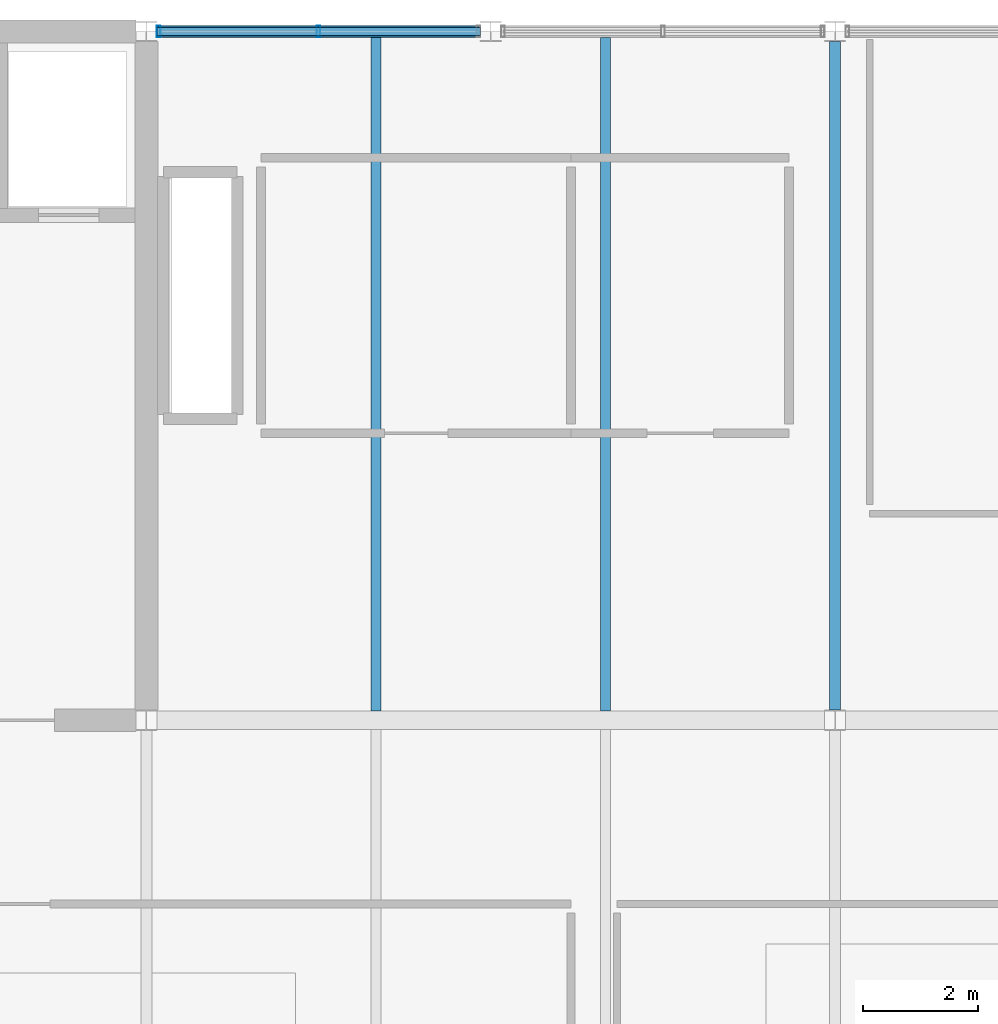
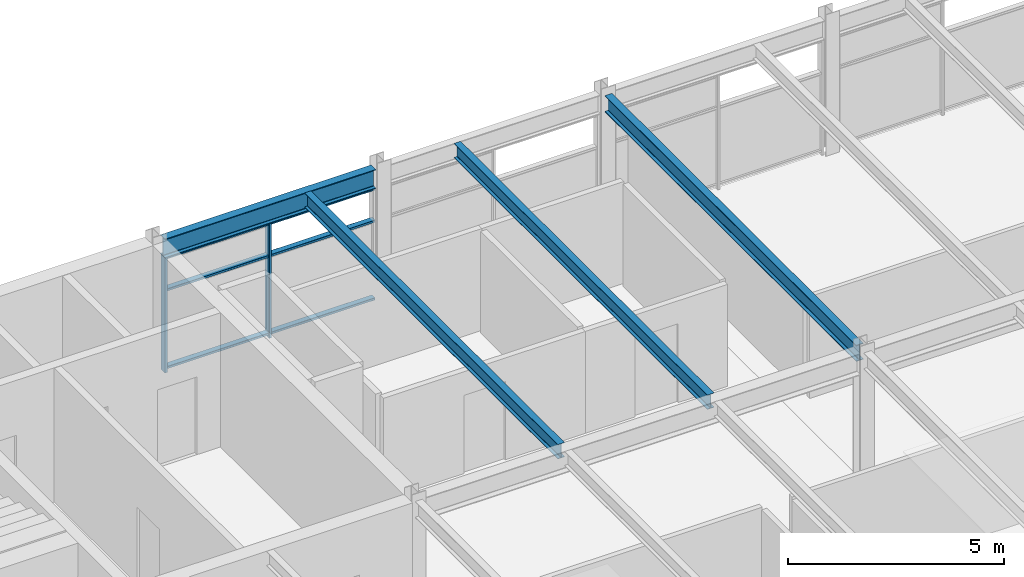
# One storey, part 9 of 23: 5 members, 4 beams, 1 element without a shape of its own.
"""IFC4 building model written with IfcOpenShell, lengths in metres."""

import ifcopenshell
import ifcopenshell.guid

model = None  # the IFC model being written
_history = None  # IfcOwnerHistory: only IFC2X3 demands one
_inside = {}  # id of a spatial element -> (the spatial element, [elements in it])
_under = {}  # id of a project, library or spatial element -> (it, [spatial elements below it])
_declared = {}  # id of a project -> (the project, [libraries it declares])
_typed = {}  # id of a type object -> (the type object, [elements of that type])
_made_of = {}  # id of a material, layer set ... -> (it, [elements and type objects made of it])


def new_model(schema):
    """Start an empty IFC model of exactly this schema.

    Asked for "IFC4X3", IfcOpenShell would pick the latest addendum, in which some entities
    have other attributes; the version numbers below select the first issue.
    IFC2X3 requires an IfcOwnerHistory on every rooted entity: one is made here for all.
    """
    global model, _history
    if schema == "IFC4X3":
        model = ifcopenshell.file(schema_version=(4, 3, 0, 0))
    else:
        model = ifcopenshell.file(schema=schema)
    _inside.clear()
    _under.clear()
    _declared.clear()
    _typed.clear()
    _made_of.clear()
    _history = None
    if model.schema == "IFC2X3":
        org = make("IfcOrganization", Name="unknown")
        user = make(
            "IfcPersonAndOrganization",
            ThePerson=make("IfcPerson", FamilyName="unknown"),
            TheOrganization=org,
        )
        app = make(
            "IfcApplication",
            ApplicationDeveloper=org,
            Version="unknown",
            ApplicationFullName="unknown",
            ApplicationIdentifier="unknown",
        )
        _history = make(
            "IfcOwnerHistory",
            OwningUser=user,
            OwningApplication=app,
            ChangeAction="ADDED",
            CreationDate=0,
        )
    return model


def make(cls, **values):
    """One entity of the class cls with the attributes given. An attribute that is None is left unset."""
    return model.create_entity(
        cls, **{name: value for name, value in values.items() if value is not None}
    )


def rooted(cls, **values):
    """An entity with a GlobalId (a new one), such as an element, a storey or a relation."""
    return make(cls, GlobalId=ifcopenshell.guid.new(), OwnerHistory=_history, **values)


def si_unit(unit_type, name, prefix=None):
    """IfcSIUnit, for example si_unit("LENGTHUNIT", "METRE", prefix="MILLI")."""
    return make("IfcSIUnit", UnitType=unit_type, Prefix=prefix, Name=name)


def assignment(units):
    """IfcUnitAssignment: the units of a project."""
    return None if units is None else make("IfcUnitAssignment", Units=units)


def point(xyz):
    """IfcCartesianPoint."""
    return None if xyz is None else make("IfcCartesianPoint", Coordinates=xyz)


def direction(xyz):
    """IfcDirection."""
    return None if xyz is None else make("IfcDirection", DirectionRatios=xyz)


def frame(location, z_axis=None, x_axis=None):
    """IfcAxis2Placement3D, a coordinate frame: its origin and axes. An axis left out is left unset."""
    return make(
        "IfcAxis2Placement3D",
        Location=point(location),
        Axis=direction(z_axis),
        RefDirection=direction(x_axis),
    )


def frame_2d(location, x_axis=None):
    """IfcAxis2Placement2D, a coordinate frame in the plane: its origin and x axis."""
    return make(
        "IfcAxis2Placement2D", Location=point(location), RefDirection=direction(x_axis)
    )


def origin():
    """The frame at (0, 0, 0) with its axes left unset."""
    return frame((0.0, 0.0, 0.0))


def origin_2d():
    """The frame at (0, 0) in the plane with its x axis left unset."""
    return frame_2d((0.0, 0.0))


def place(relative_to, where):
    """IfcLocalPlacement: puts the frame where relative to a parent placement (None: the world)."""
    return make(
        "IfcLocalPlacement", PlacementRelTo=relative_to, RelativePlacement=where
    )


def context(
    kind, dimensions, precision=None, world=None, true_north=None, identifier=None
):
    """IfcGeometricRepresentationContext, for example the 3D "Model" context."""
    return make(
        "IfcGeometricRepresentationContext",
        ContextIdentifier=identifier,
        ContextType=kind,
        CoordinateSpaceDimension=dimensions,
        Precision=precision,
        WorldCoordinateSystem=world,
        TrueNorth=true_north,
    )


def subcontext(parent, identifier, kind, view, scale=None):
    """IfcGeometricRepresentationSubContext, for example "Body" below "Model"."""
    return make(
        "IfcGeometricRepresentationSubContext",
        ContextIdentifier=identifier,
        ContextType=kind,
        ParentContext=parent,
        TargetScale=scale,
        TargetView=view,
    )


def project(units=None, contexts=None):
    """IfcProject with its units and contexts."""
    return rooted(
        "IfcProject",
        Name="project",
        RepresentationContexts=contexts,
        UnitsInContext=assignment(units),
    )


def spatial(cls, under=None, at=None, **own):
    """A site, building, storey or space (cls), placed at a placement, below another one or the project."""
    s = rooted(cls, ObjectPlacement=at, **own)
    if under is not None:
        _under.setdefault(under.id(), (under, []))[1].append(s)
    return s


def profile(cls, at=None, kind="AREA", **sizes):
    """A parametric profile (cls). Its sizes go by their IFC names, for example OverallWidth=200.0."""
    return make(cls, ProfileType=kind, Position=at, **sizes)


def hollow_rectangle(**sizes):
    """IfcRectangleHollowProfileDef."""
    return profile("IfcRectangleHollowProfileDef", **sizes)


def i_section(**sizes):
    """IfcIShapeProfileDef."""
    return profile("IfcIShapeProfileDef", **sizes)


def extrude(swept, where, along, depth):
    """IfcExtrudedAreaSolid: the profile swept, set in the frame where, extruded along a direction by depth."""
    return make(
        "IfcExtrudedAreaSolid",
        SweptArea=swept,
        Position=where,
        ExtrudedDirection=direction(along),
        Depth=depth,
    )


def shape(context_of_items, identifier, shape_type, items):
    """IfcShapeRepresentation: the items that make up one representation, for example the "Body"."""
    return make(
        "IfcShapeRepresentation",
        ContextOfItems=context_of_items,
        RepresentationIdentifier=identifier,
        RepresentationType=shape_type,
        Items=items,
    )


def material(Name=None, Category=None):
    """IfcMaterial."""
    return make("IfcMaterial", Name=Name, Category=Category)


def material_profile(
    of_material, cross_section, Name=None, Category=None, Priority=None
):
    """IfcMaterialProfile: a cross section and its material."""
    return make(
        "IfcMaterialProfile",
        Name=Name,
        Material=of_material,
        Profile=cross_section,
        Priority=Priority,
        Category=Category,
    )


def profile_set(profiles, Name=None, composite=None):
    """IfcMaterialProfileSet."""
    return make(
        "IfcMaterialProfileSet",
        Name=Name,
        MaterialProfiles=profiles,
        CompositeProfile=composite,
    )


def made_of(thing, what):
    """Note that an element or type object is made of a material, layer set ...; save() writes the relation."""
    if what is not None:
        _made_of.setdefault(what.id(), (what, []))[1].append(thing)
    return thing


def type_object(cls, material=None, **own):
    """A type object (cls), such as IfcWallType, which elements share."""
    return made_of(rooted(cls, **own), material)


def element(
    cls,
    number,
    at=None,
    inside=None,
    cuts=None,
    type_object=None,
    material=None,
    context=None,
    identifier="Body",
    shape_type=None,
    held_by="IfcProductDefinitionShape",
    body=None,
    shapes=None,
    **own,
):
    """One element of the class cls, such as IfcWall. Its Tag is "e" and its number.

    at: its placement. inside: the storey or other place that contains it. cuts: it is an
    opening in that element (IfcRelVoidsElement). A single representation is given by context,
    identifier, shape_type and body (its items); several are given by shapes. held_by: the class
    of the entity that holds the representations. save() writes the other relations.
    """
    e = rooted(cls, Tag="e%d" % number, ObjectPlacement=at, **own)
    if body is not None:
        shapes = [shape(context, identifier, shape_type, body)]
    if shapes is not None:
        e.Representation = make(held_by, Representations=shapes)
    if inside is not None:
        _inside.setdefault(inside.id(), (inside, []))[1].append(e)
    if cuts is not None:
        rooted(
            "IfcRelVoidsElement", RelatingBuildingElement=cuts, RelatedOpeningElement=e
        )
    if type_object is not None:
        _typed.setdefault(type_object.id(), (type_object, []))[1].append(e)
    return made_of(e, material)


def aggregate(whole, parts):
    """IfcRelAggregates: a whole, such as a stair, and the parts it consists of."""
    return rooted("IfcRelAggregates", RelatingObject=whole, RelatedObjects=parts)


def save(model, path):
    """Write the relations noted so far, then the file.

    IfcRelAggregates (storeys below a building ...), IfcRelContainedInSpatialStructure (elements
    in a storey), IfcRelDefinesByType, IfcRelAssociatesMaterial and IfcRelDeclares: one each for
    every whole, place, type object, material and project.
    """
    for whole, parts in _under.values():
        aggregate(whole, parts)
    for where, things in _inside.values():
        rooted(
            "IfcRelContainedInSpatialStructure",
            RelatedElements=things,
            RelatingStructure=where,
        )
    for kind, things in _typed.values():
        rooted("IfcRelDefinesByType", RelatedObjects=things, RelatingType=kind)
    for what, things in _made_of.values():
        rooted("IfcRelAssociatesMaterial", RelatedObjects=things, RelatingMaterial=what)
    for by, libraries in _declared.values():
        rooted("IfcRelDeclares", RelatingContext=by, RelatedDefinitions=libraries)
    model.write(path)


model = new_model("IFC4")

# Units and contexts
model_context = context("Model", 3, precision=1e-05, world=origin(), true_north=direction((0.0, 1.0)))
body_context = subcontext(model_context, "Body", "Model", "MODEL_VIEW")
ifc_project = project(units=[si_unit("LENGTHUNIT", "METRE"), si_unit("AREAUNIT", "SQUARE_METRE"), si_unit("VOLUMEUNIT", "CUBIC_METRE"), si_unit("PLANEANGLEUNIT", "RADIAN"), si_unit("MASSUNIT", "GRAM", prefix="KILO")], contexts=[model_context])

# Site, building, storey
site_placement = place(None, origin())
site = spatial("IfcSite", under=ifc_project, at=site_placement, CompositionType="ELEMENT")
building_placement = place(site_placement, origin())
building = spatial("IfcBuilding", under=site, at=building_placement, Name="Girod Span Mobility Hub", CompositionType="ELEMENT")
storey_placement = place(building_placement, frame((0.0, 0.0, 65.60009765625)))
storey = spatial("IfcBuildingStorey", under=building, at=storey_placement, Name="L16", CompositionType="ELEMENT", Elevation=65.60009765625)

# Beams
ifc_material_1 = material(Name="Steel A992 Grade 50", Category="steel")
ifc_material_profile_1 = material_profile(ifc_material_1, i_section(OverallWidth=0.178955078125, OverallDepth=0.409912109375, WebThickness=0.0087890625, FlangeThickness=0.014404296875, FilletRadius=0.012939453125, at=origin_2d()), Name="W16X45")
ifc_profile_set_1 = profile_set([ifc_material_profile_1], Name="Steel A992 Grade 50")
beam_type_1 = type_object("IfcBeamType", Name="BM-STL-W16X45", PredefinedType="BEAM", material=ifc_profile_set_1)
for number, where, z_axis, x_axis, name in (
    (1, (64.0, 57.158935546875, 3.5849609375), (0.0, 1.0, 0.0), (-1.0, 0.0, 0.0), "Composite Floorbeam 6/E-1 L16"),
    (2, (68.0, 57.158935546875, 3.5849609375), (0.0, 1.0, 0.0), (-1.0, 0.0, 0.0), "Composite Floorbeam 6/E-2 L16"),
):
    element("IfcBeam", number, at=place(storey_placement, frame(where, z_axis=z_axis, x_axis=x_axis)), inside=storey, type_object=beam_type_1, Name=name, PredefinedType="BEAM", context=body_context, shape_type="SweptSolid", body=[
        extrude(i_section(OverallWidth=0.178955078125, OverallDepth=0.409912109375, WebThickness=0.0087890625, FlangeThickness=0.014404296875, FilletRadius=0.012939453125, at=origin_2d()), origin(), (0.0, 0.0, 1.0), 11.738037109375),
    ])
ifc_material_2 = material(Name="Steel A992 Grade 50", Category="steel")
ifc_material_profile_2 = material_profile(ifc_material_2, i_section(OverallWidth=0.19189453125, OverallDepth=0.462890625, WebThickness=0.010498046875, FlangeThickness=0.017578125, FilletRadius=0.013916015625, at=origin_2d()), Name="W18X60")
ifc_profile_set_2 = profile_set([ifc_material_profile_2], Name="Steel A992 Grade 50")
beam_type_2 = type_object("IfcBeamType", Name="BM-STL-W18X60", PredefinedType="BEAM", material=ifc_profile_set_2)
beam_1_placement = place(storey_placement, frame((72.0, 57.175048828125, 3.558349609375), z_axis=(0.0, 1.0, 0.0), x_axis=(-1.0, 0.0, 0.0)))
element("IfcBeam", 3, at=beam_1_placement, inside=storey, type_object=beam_type_2, Name="Tie Girder 7/E-F L16", PredefinedType="BEAM", context=body_context, shape_type="SweptSolid", body=[
    extrude(i_section(OverallWidth=0.19189453125, OverallDepth=0.462890625, WebThickness=0.010498046875, FlangeThickness=0.017578125, FilletRadius=0.013916015625, at=origin_2d()), origin(), (0.0, 0.0, 1.0), 11.64990234375),
])
ifc_material_3 = material(Name="Steel A992 Grade 50", Category="steel")
ifc_material_profile_3 = material_profile(ifc_material_3, i_section(OverallWidth=0.2119140625, OverallDepth=0.5439453125, WebThickness=0.01318359375, FlangeThickness=0.021240234375, FilletRadius=0.014892578125, at=origin_2d()), Name="W21X83")
ifc_profile_set_3 = profile_set([ifc_material_profile_3], Name="Steel A992 Grade 50")
beam_type_3 = type_object("IfcBeamType", Name="BM-STL-W21X83", PredefinedType="SPANDREL", material=ifc_profile_set_3)
beam_2_placement = place(storey_placement, frame((60.181396484375, 69.0, 3.517822265625), z_axis=(1.0, 0.0, 0.0), x_axis=(0.0, 1.0, 0.0)))
element("IfcBeam", 4, at=beam_2_placement, inside=storey, type_object=beam_type_3, Name="Spandrel Beam 6-7/F-W L16", PredefinedType="SPANDREL", context=body_context, shape_type="SweptSolid", body=[
    extrude(i_section(OverallWidth=0.2119140625, OverallDepth=0.5439453125, WebThickness=0.01318359375, FlangeThickness=0.021240234375, FilletRadius=0.014892578125, at=origin_2d()), origin(), (0.0, 0.0, 1.0), 5.63720703125),
])

# Curtain wall, members
ifc_material_4 = material(Name="Thermally Broken Anodised Aluminium", Category="aluminium")
curtain_wall_type = type_object("IfcCurtainWallType", Name="CW-564X325", PredefinedType="USERDEFINED", material=ifc_material_4)
curtain_wall_placement = place(storey_placement, origin())
curtain_wall = element("IfcCurtainWall", 5, at=curtain_wall_placement, inside=storey, type_object=curtain_wall_type, Name="Unitised Curtain Wall CW-L16-N06W L16", ObjectType="UNITISED CURTAIN WALL", PredefinedType="USERDEFINED")
ifc_material_5 = material(Name="Thermally Broken Anodised Aluminium", Category="aluminium")
ifc_material_profile_4 = material_profile(ifc_material_5, hollow_rectangle(XDim=0.199951171875, YDim=0.06494140625, WallThickness=0.00390625, InnerFilletRadius=0.00390625, OuterFilletRadius=0.008056640625, at=origin_2d()), Name="CW-ML-65X200")
ifc_profile_set_4 = profile_set([ifc_material_profile_4], Name="Thermally Broken Anodised Aluminium")
member_type_1 = type_object("IfcMemberType", Name="CWM-ML-1", PredefinedType="MULLION", material=ifc_profile_set_4)
member_1_placement = place(storey_placement, frame((60.214599609375, 69.0, 0.0), z_axis=(0.0, 0.0, 1.0), x_axis=(0.0, 1.0, 0.0)))
member_1 = element("IfcMember", 6, at=member_1_placement, type_object=member_type_1, Name="Curtain Wall Mullion CW-L16-N06W-M0", PredefinedType="MULLION", context=body_context, shape_type="SweptSolid", body=[
    extrude(hollow_rectangle(XDim=0.199951171875, YDim=0.06494140625, WallThickness=0.00390625, InnerFilletRadius=0.00390625, OuterFilletRadius=0.008056640625, at=origin_2d()), origin(), (0.0, 0.0, 1.0), 3.245849609375),
])
member_2_placement = place(storey_placement, frame((63.0, 69.0, 0.0), z_axis=(0.0, 0.0, 1.0), x_axis=(0.0, 1.0, 0.0)))
member_2 = element("IfcMember", 7, at=member_2_placement, type_object=member_type_1, Name="Curtain Wall Mullion CW-L16-N06W-M1", PredefinedType="MULLION", context=body_context, shape_type="SweptSolid", body=[
    extrude(hollow_rectangle(XDim=0.199951171875, YDim=0.06494140625, WallThickness=0.00390625, InnerFilletRadius=0.00390625, OuterFilletRadius=0.008056640625, at=origin_2d()), origin(), (0.0, 0.0, 1.0), 3.245849609375),
])
ifc_material_6 = material(Name="Thermally Broken Anodised Aluminium", Category="aluminium")
ifc_material_profile_5 = material_profile(ifc_material_6, hollow_rectangle(XDim=0.14990234375, YDim=0.06494140625, WallThickness=0.00390625, InnerFilletRadius=0.00390625, OuterFilletRadius=0.008056640625, at=origin_2d()), Name="CW-TR-65X150")
ifc_profile_set_5 = profile_set([ifc_material_profile_5], Name="Thermally Broken Anodised Aluminium")
member_type_2 = type_object("IfcMemberType", Name="CWM-TR-1", PredefinedType="USERDEFINED", material=ifc_profile_set_5)
member_3_placement = place(storey_placement, frame((60.1826171875, 69.0, 0.107421875), z_axis=(1.0, 0.0, 0.0), x_axis=(0.0, 1.0, 0.0)))
member_3 = element("IfcMember", 8, at=member_3_placement, type_object=member_type_2, Name="Curtain Wall Transom CW-L16-N06W-T1", ObjectType="TRANSOM", PredefinedType="USERDEFINED", context=body_context, shape_type="SweptSolid", body=[
    extrude(hollow_rectangle(XDim=0.14990234375, YDim=0.06494140625, WallThickness=0.00390625, InnerFilletRadius=0.00390625, OuterFilletRadius=0.008056640625, at=origin_2d()), origin(), (0.0, 0.0, 1.0), 5.634765625),
])
member_4_placement = place(storey_placement, frame((60.1826171875, 69.0, 2.304443359375), z_axis=(1.0, 0.0, 0.0), x_axis=(0.0, 1.0, 0.0)))
member_4 = element("IfcMember", 9, at=member_4_placement, type_object=member_type_2, Name="Curtain Wall Transom CW-L16-N06W-T2", ObjectType="TRANSOM", PredefinedType="USERDEFINED", context=body_context, shape_type="SweptSolid", body=[
    extrude(hollow_rectangle(XDim=0.14990234375, YDim=0.06494140625, WallThickness=0.00390625, InnerFilletRadius=0.00390625, OuterFilletRadius=0.008056640625, at=origin_2d()), origin(), (0.0, 0.0, 1.0), 5.634765625),
])
member_5_placement = place(storey_placement, frame((60.1826171875, 69.0, 3.21337890625), z_axis=(1.0, 0.0, 0.0), x_axis=(0.0, 1.0, 0.0)))
member_5 = element("IfcMember", 10, at=member_5_placement, type_object=member_type_2, Name="Curtain Wall Transom CW-L16-N06W-T3", ObjectType="TRANSOM", PredefinedType="USERDEFINED", context=body_context, shape_type="SweptSolid", body=[
    extrude(hollow_rectangle(XDim=0.14990234375, YDim=0.06494140625, WallThickness=0.00390625, InnerFilletRadius=0.00390625, OuterFilletRadius=0.008056640625, at=origin_2d()), origin(), (0.0, 0.0, 1.0), 5.634765625),
])
aggregate(curtain_wall, [member_1, member_2, member_3, member_4, member_5])

save(model, "model.ifc")
